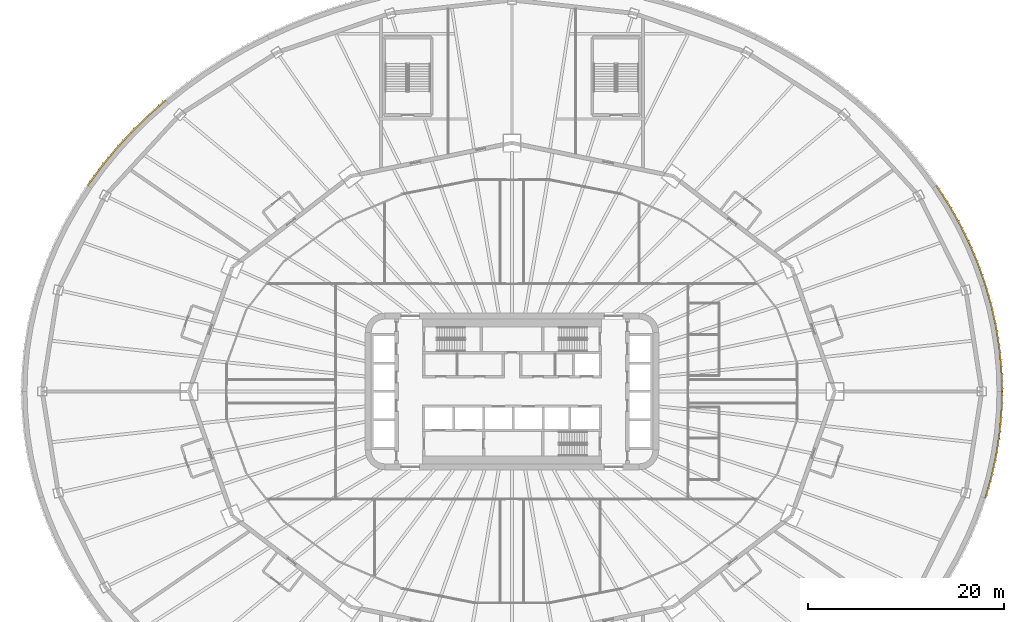
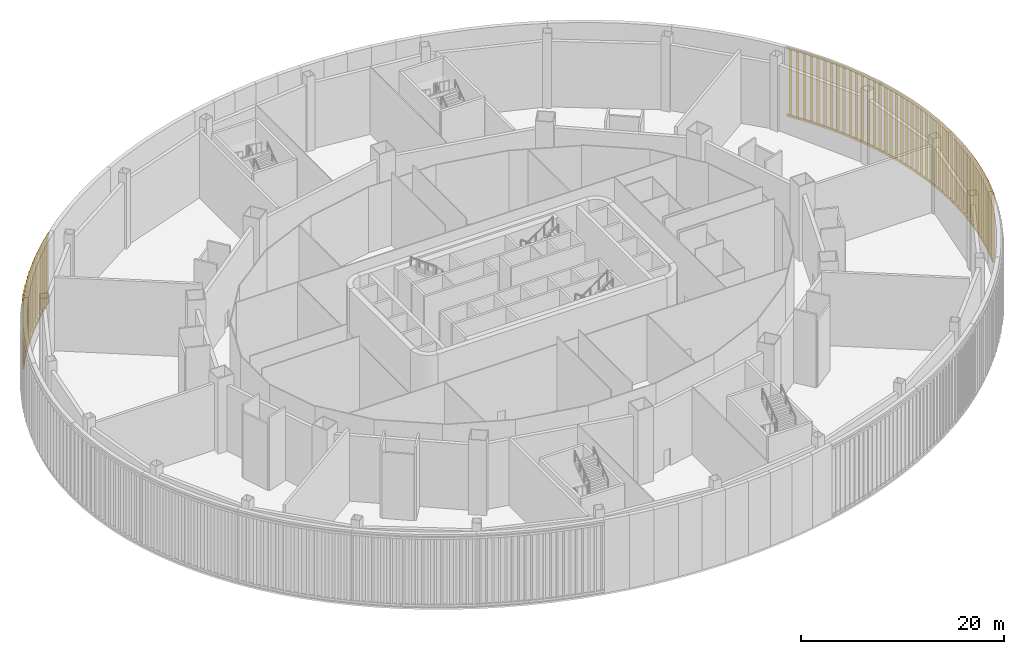
# One storey, part 32 of 35: 4 shading devices.
"""IFC4 building model written with IfcOpenShell, lengths in metres."""

from ifc_helpers import new_model, si_unit, direction, frame, origin, origin_2d, place, context, subcontext, project, spatial, rectangle, extrude, material, type_object, element, save


model = new_model("IFC4")

# Units and contexts
model_context = context("Model", 3, precision=1e-05, world=origin(), true_north=direction((0.0, 1.0)))
body_context = subcontext(model_context, "Body", "Model", "MODEL_VIEW")
ifc_project = project(units=[si_unit("LENGTHUNIT", "METRE"), si_unit("AREAUNIT", "SQUARE_METRE"), si_unit("VOLUMEUNIT", "CUBIC_METRE"), si_unit("PLANEANGLEUNIT", "RADIAN"), si_unit("MASSUNIT", "GRAM", prefix="KILO")], contexts=[model_context])

# Site, building, storey
site_placement = place(None, origin())
site = spatial("IfcSite", under=ifc_project, at=site_placement, CompositionType="ELEMENT")
building_placement = place(site_placement, origin())
building = spatial("IfcBuilding", under=site, at=building_placement, Name="Sahrelin Media Tower", CompositionType="ELEMENT")
storey_placement = place(building_placement, frame((0.0, 0.0, 8.0)))
storey = spatial("IfcBuildingStorey", under=building, at=storey_placement, Name="L01", CompositionType="ELEMENT", Elevation=8.0)

# Shading devices
ifc_material = material(Name="Champagne anodised aluminium 6063-T6", Category="aluminium")
shading_device_type = type_object("IfcShadingDeviceType", Name="Studio facade screen", PredefinedType="USERDEFINED", material=ifc_material)
shading_device_1_placement = place(storey_placement, frame((50.0, 0.0, 0.0), z_axis=(0.0, 0.0, 1.0), x_axis=(0.154807009046, -0.98794473021, 0.0)))
element("IfcShadingDevice", 1, at=shading_device_1_placement, inside=storey, type_object=shading_device_type, Name="L01:SCREEN:L01-P00", ObjectType="SCREEN", PredefinedType="USERDEFINED", context=body_context, shape_type="SweptSolid", body=[
    extrude(rectangle(XDim=0.14990234375, YDim=0.25, at=origin_2d()), frame((0.00927734375, 0.074462890625, 0.35009765625), z_axis=(-0.992281292284, 0.124007406968, 0.0), x_axis=(-0.124007406968, -0.992281292284, 0.0)), (0.0, 0.0, 1.0), 2.19921875),
    extrude(rectangle(XDim=0.14990234375, YDim=0.25, at=origin_2d()), frame((0.00927734375, 0.074462890625, 8.449951171875), z_axis=(-0.992281292284, 0.124007406968, 0.0), x_axis=(-0.124007406968, -0.992281292284, 0.0)), (0.0, 0.0, 1.0), 2.19921875),
    extrude(rectangle(XDim=0.300048828125, YDim=0.0400390625, at=origin_2d()), frame((-0.34521484375, 0.1943359375, 0.47509765625), z_axis=(0.0, 0.0, 1.0), x_axis=(0.707106781187, 0.707106781187, 0.0)), (0.0, 0.0, 1.0), 7.849853515625),
    extrude(rectangle(XDim=0.300048828125, YDim=0.0400390625, at=origin_2d()), frame((-1.072509765625, 0.28515625, 0.47509765625), z_axis=(0.0, 0.0, 1.0), x_axis=(0.707106781187, 0.707106781187, 0.0)), (0.0, 0.0, 1.0), 7.849853515625),
    extrude(rectangle(XDim=0.300048828125, YDim=0.0400390625, at=origin_2d()), frame((-1.7998046875, 0.376220703125, 0.47509765625), z_axis=(0.0, 0.0, 1.0), x_axis=(0.707106781187, 0.707106781187, 0.0)), (0.0, 0.0, 1.0), 7.849853515625),
    extrude(rectangle(XDim=0.14990234375, YDim=0.25, at=origin_2d()), frame((-2.177490234375, 0.347412109375, 0.35009765625), z_axis=(-0.998077094115, 0.061984790091, 0.0), x_axis=(-0.061984790091, -0.998077094115, 0.0)), (0.0, 0.0, 1.0), 2.20166015625),
    extrude(rectangle(XDim=0.14990234375, YDim=0.25, at=origin_2d()), frame((-2.177490234375, 0.347412109375, 8.449951171875), z_axis=(-0.998077094115, 0.061984790091, 0.0), x_axis=(-0.061984790091, -0.998077094115, 0.0)), (0.0, 0.0, 1.0), 2.20166015625),
    extrude(rectangle(XDim=0.300048828125, YDim=0.0400390625, at=origin_2d()), frame((-2.5390625, 0.445068359375, 0.47509765625), z_axis=(0.0, 0.0, 1.0), x_axis=(0.707106781187, 0.707106781187, 0.0)), (0.0, 0.0, 1.0), 7.849853515625),
    extrude(rectangle(XDim=0.300048828125, YDim=0.0400390625, at=origin_2d()), frame((-3.271484375, 0.490478515625, 0.47509765625), z_axis=(0.0, 0.0, 1.0), x_axis=(0.707106781187, 0.707106781187, 0.0)), (0.0, 0.0, 1.0), 7.849853515625),
    extrude(rectangle(XDim=0.300048828125, YDim=0.0400390625, at=origin_2d()), frame((-4.004150390625, 0.5361328125, 0.47509765625), z_axis=(0.0, 0.0, 1.0), x_axis=(0.707106781187, 0.707106781187, 0.0)), (0.0, 0.0, 1.0), 7.849853515625),
    extrude(rectangle(XDim=0.14990234375, YDim=0.25, at=origin_2d()), frame((-4.379638671875, 0.484130859375, 0.35009765625), z_axis=(-1.0, 0.0, 0.0), x_axis=(0.0, -1.0, 0.0)), (0.0, 0.0, 1.0), 2.20654296875),
    extrude(rectangle(XDim=0.14990234375, YDim=0.25, at=origin_2d()), frame((-4.379638671875, 0.484130859375, 8.449951171875), z_axis=(-1.0, 0.0, 0.0), x_axis=(0.0, -1.0, 0.0)), (0.0, 0.0, 1.0), 2.20654296875),
    extrude(rectangle(XDim=0.300048828125, YDim=0.0400390625, at=origin_2d()), frame((-4.747314453125, 0.55908203125, 0.47509765625), z_axis=(0.0, 0.0, 1.0), x_axis=(0.707106781187, 0.707106781187, 0.0)), (0.0, 0.0, 1.0), 7.849853515625),
    extrude(rectangle(XDim=0.300048828125, YDim=0.0400390625, at=origin_2d()), frame((-5.48291015625, 0.55908203125, 0.47509765625), z_axis=(0.0, 0.0, 1.0), x_axis=(0.707106781187, 0.707106781187, 0.0)), (0.0, 0.0, 1.0), 7.849853515625),
    extrude(rectangle(XDim=0.300048828125, YDim=0.0400390625, at=origin_2d()), frame((-6.218505859375, 0.55908203125, 0.47509765625), z_axis=(0.0, 0.0, 1.0), x_axis=(0.707106781187, 0.707106781187, 0.0)), (0.0, 0.0, 1.0), 7.849853515625),
    extrude(rectangle(XDim=0.14990234375, YDim=0.25, at=origin_2d()), frame((-6.5908203125, 0.48388671875, 0.35009765625), z_axis=(-0.998098639234, -0.061636891221, 0.0), x_axis=(0.061636891221, -0.998098639234, 0.0)), (0.0, 0.0, 1.0), 2.214111328125),
    extrude(rectangle(XDim=0.14990234375, YDim=0.25, at=origin_2d()), frame((-6.5908203125, 0.48388671875, 8.449951171875), z_axis=(-0.998098639234, -0.061636891221, 0.0), x_axis=(0.061636891221, -0.998098639234, 0.0)), (0.0, 0.0, 1.0), 2.214111328125),
    extrude(rectangle(XDim=0.300048828125, YDim=0.0400390625, at=origin_2d()), frame((-6.9638671875, 0.5361328125, 0.47509765625), z_axis=(0.0, 0.0, 1.0), x_axis=(0.707106781187, 0.707106781187, 0.0)), (0.0, 0.0, 1.0), 7.849853515625),
    extrude(rectangle(XDim=0.300048828125, YDim=0.0400390625, at=origin_2d()), frame((-7.700439453125, 0.490478515625, 0.47509765625), z_axis=(0.0, 0.0, 1.0), x_axis=(0.707106781187, 0.707106781187, 0.0)), (0.0, 0.0, 1.0), 7.849853515625),
    extrude(rectangle(XDim=0.300048828125, YDim=0.0400390625, at=origin_2d()), frame((-8.43701171875, 0.445068359375, 0.47509765625), z_axis=(0.0, 0.0, 1.0), x_axis=(0.707106781187, 0.707106781187, 0.0)), (0.0, 0.0, 1.0), 7.849853515625),
    extrude(rectangle(XDim=0.14990234375, YDim=0.25, at=origin_2d()), frame((-8.805419921875, 0.34716796875, 0.35009765625), z_axis=(-0.992450885786, -0.122642730327, 0.0), x_axis=(0.122642730327, -0.992450885786, 0.0)), (0.0, 0.0, 1.0), 2.2236328125),
    extrude(rectangle(XDim=0.14990234375, YDim=0.25, at=origin_2d()), frame((-8.805419921875, 0.34716796875, 8.449951171875), z_axis=(-0.992450885786, -0.122642730327, 0.0), x_axis=(0.122642730327, -0.992450885786, 0.0)), (0.0, 0.0, 1.0), 2.2236328125),
    extrude(rectangle(XDim=0.300048828125, YDim=0.0400390625, at=origin_2d()), frame((-9.182373046875, 0.376220703125, 0.47509765625), z_axis=(0.0, 0.0, 1.0), x_axis=(0.707106781187, 0.707106781187, 0.0)), (0.0, 0.0, 1.0), 7.849853515625),
    extrude(rectangle(XDim=0.300048828125, YDim=0.0400390625, at=origin_2d()), frame((-9.91796875, 0.28515625, 0.47509765625), z_axis=(0.0, 0.0, 1.0), x_axis=(0.707106781187, 0.707106781187, 0.0)), (0.0, 0.0, 1.0), 7.849853515625),
    extrude(rectangle(XDim=0.300048828125, YDim=0.0400390625, at=origin_2d()), frame((-10.65380859375, 0.1943359375, 0.47509765625), z_axis=(0.0, 0.0, 1.0), x_axis=(0.707106781187, 0.707106781187, 0.0)), (0.0, 0.0, 1.0), 7.849853515625),
])
shading_device_2_placement = place(storey_placement, frame((48.29638671875, 10.870361328125, 0.0), z_axis=(0.0, 0.0, 1.0), x_axis=(0.44228697484, -0.896873587462, 0.0)))
element("IfcShadingDevice", 2, at=shading_device_2_placement, inside=storey, type_object=shading_device_type, Name="L01:SCREEN:L01-P01", ObjectType="SCREEN", PredefinedType="USERDEFINED", context=body_context, shape_type="SweptSolid", body=[
    extrude(rectangle(XDim=0.14990234375, YDim=0.25, at=origin_2d()), frame((0.0087890625, 0.074462890625, 0.35009765625), z_axis=(-0.992914515953, 0.118830820961, 0.0), x_axis=(-0.118830820961, -0.992914515953, 0.0)), (0.0, 0.0, 1.0), 2.2353515625),
    extrude(rectangle(XDim=0.14990234375, YDim=0.25, at=origin_2d()), frame((0.0087890625, 0.074462890625, 8.449951171875), z_axis=(-0.992914515953, 0.118830820961, 0.0), x_axis=(-0.118830820961, -0.992914515953, 0.0)), (0.0, 0.0, 1.0), 2.2353515625),
    extrude(rectangle(XDim=0.300048828125, YDim=0.0400390625, at=origin_2d()), frame((-0.35205078125, 0.193115234375, 0.47509765625), z_axis=(0.0, 0.0, 1.0), x_axis=(0.707106781187, 0.707106781187, 0.0)), (0.0, 0.0, 1.0), 7.849853515625),
    extrude(rectangle(XDim=0.300048828125, YDim=0.0400390625, at=origin_2d()), frame((-1.092041015625, 0.28173828125, 0.47509765625), z_axis=(0.0, 0.0, 1.0), x_axis=(0.707106781187, 0.707106781187, 0.0)), (0.0, 0.0, 1.0), 7.849853515625),
    extrude(rectangle(XDim=0.300048828125, YDim=0.0400390625, at=origin_2d()), frame((-1.83203125, 0.370361328125, 0.47509765625), z_axis=(0.0, 0.0, 1.0), x_axis=(0.707106781187, 0.707106781187, 0.0)), (0.0, 0.0, 1.0), 7.849853515625),
    extrude(rectangle(XDim=0.14990234375, YDim=0.25, at=origin_2d()), frame((-2.21533203125, 0.340576171875, 0.35009765625), z_axis=(-0.998255232119, 0.059046520199, 0.0), x_axis=(-0.059046520199, -0.998255232119, 0.0)), (0.0, 0.0, 1.0), 2.249267578125),
    extrude(rectangle(XDim=0.14990234375, YDim=0.25, at=origin_2d()), frame((-2.21533203125, 0.340576171875, 8.449951171875), z_axis=(-0.998255232119, 0.059046520199, 0.0), x_axis=(-0.059046520199, -0.998255232119, 0.0)), (0.0, 0.0, 1.0), 2.249267578125),
    extrude(rectangle(XDim=0.300048828125, YDim=0.0400390625, at=origin_2d()), frame((-2.585205078125, 0.4375, 0.47509765625), z_axis=(0.0, 0.0, 1.0), x_axis=(0.707106781187, 0.707106781187, 0.0)), (0.0, 0.0, 1.0), 7.849853515625),
    extrude(rectangle(XDim=0.300048828125, YDim=0.0400390625, at=origin_2d()), frame((-3.33349609375, 0.481689453125, 0.47509765625), z_axis=(0.0, 0.0, 1.0), x_axis=(0.707106781187, 0.707106781187, 0.0)), (0.0, 0.0, 1.0), 7.849853515625),
    extrude(rectangle(XDim=0.300048828125, YDim=0.0400390625, at=origin_2d()), frame((-4.08203125, 0.526123046875, 0.47509765625), z_axis=(0.0, 0.0, 1.0), x_axis=(0.707106781187, 0.707106781187, 0.0)), (0.0, 0.0, 1.0), 7.849853515625),
    extrude(rectangle(XDim=0.14990234375, YDim=0.25, at=origin_2d()), frame((-4.465087890625, 0.4736328125, 0.35009765625), z_axis=(-1.0, 0.0, 0.0), x_axis=(0.0, -1.0, 0.0)), (0.0, 0.0, 1.0), 2.26513671875),
    extrude(rectangle(XDim=0.14990234375, YDim=0.25, at=origin_2d()), frame((-4.465087890625, 0.4736328125, 8.449951171875), z_axis=(-1.0, 0.0, 0.0), x_axis=(0.0, -1.0, 0.0)), (0.0, 0.0, 1.0), 2.26513671875),
    extrude(rectangle(XDim=0.300048828125, YDim=0.0400390625, at=origin_2d()), frame((-4.8427734375, 0.548583984375, 0.47509765625), z_axis=(0.0, 0.0, 1.0), x_axis=(0.707106781187, 0.707106781187, 0.0)), (0.0, 0.0, 1.0), 7.849853515625),
    extrude(rectangle(XDim=0.300048828125, YDim=0.0400390625, at=origin_2d()), frame((-5.59765625, 0.548583984375, 0.47509765625), z_axis=(0.0, 0.0, 1.0), x_axis=(0.707106781187, 0.707106781187, 0.0)), (0.0, 0.0, 1.0), 7.849853515625),
    extrude(rectangle(XDim=0.300048828125, YDim=0.0400390625, at=origin_2d()), frame((-6.352783203125, 0.548583984375, 0.47509765625), z_axis=(0.0, 0.0, 1.0), x_axis=(0.707106781187, 0.707106781187, 0.0)), (0.0, 0.0, 1.0), 7.849853515625),
    extrude(rectangle(XDim=0.14990234375, YDim=0.25, at=origin_2d()), frame((-6.734619140625, 0.473388671875, 0.35009765625), z_axis=(-0.998305220506, -0.058195246459, 0.0), x_axis=(0.058195246459, -0.998305220506, 0.0)), (0.0, 0.0, 1.0), 2.2822265625),
    extrude(rectangle(XDim=0.14990234375, YDim=0.25, at=origin_2d()), frame((-6.734619140625, 0.473388671875, 8.449951171875), z_axis=(-0.998305220506, -0.058195246459, 0.0), x_axis=(0.058195246459, -0.998305220506, 0.0)), (0.0, 0.0, 1.0), 2.2822265625),
    extrude(rectangle(XDim=0.300048828125, YDim=0.0400390625, at=origin_2d()), frame((-7.11865234375, 0.526123046875, 0.47509765625), z_axis=(0.0, 0.0, 1.0), x_axis=(0.707106781187, 0.707106781187, 0.0)), (0.0, 0.0, 1.0), 7.849853515625),
    extrude(rectangle(XDim=0.300048828125, YDim=0.0400390625, at=origin_2d()), frame((-7.878173828125, 0.481689453125, 0.47509765625), z_axis=(0.0, 0.0, 1.0), x_axis=(0.707106781187, 0.707106781187, 0.0)), (0.0, 0.0, 1.0), 7.849853515625),
    extrude(rectangle(XDim=0.300048828125, YDim=0.0400390625, at=origin_2d()), frame((-8.6376953125, 0.4375, 0.47509765625), z_axis=(0.0, 0.0, 1.0), x_axis=(0.707106781187, 0.707106781187, 0.0)), (0.0, 0.0, 1.0), 7.849853515625),
    extrude(rectangle(XDim=0.14990234375, YDim=0.25, at=origin_2d()), frame((-9.017333984375, 0.340087890625, 0.35009765625), z_axis=(-0.993314738525, -0.115437559871, 0.0), x_axis=(0.115437559871, -0.993314738525, 0.0)), (0.0, 0.0, 1.0), 2.301025390625),
    extrude(rectangle(XDim=0.14990234375, YDim=0.25, at=origin_2d()), frame((-9.017333984375, 0.340087890625, 8.449951171875), z_axis=(-0.993314738525, -0.115437559871, 0.0), x_axis=(0.115437559871, -0.993314738525, 0.0)), (0.0, 0.0, 1.0), 2.301025390625),
    extrude(rectangle(XDim=0.300048828125, YDim=0.0400390625, at=origin_2d()), frame((-9.406982421875, 0.370361328125, 0.47509765625), z_axis=(0.0, 0.0, 1.0), x_axis=(0.707106781187, 0.707106781187, 0.0)), (0.0, 0.0, 1.0), 7.849853515625),
    extrude(rectangle(XDim=0.300048828125, YDim=0.0400390625, at=origin_2d()), frame((-10.168701171875, 0.28173828125, 0.47509765625), z_axis=(0.0, 0.0, 1.0), x_axis=(0.707106781187, 0.707106781187, 0.0)), (0.0, 0.0, 1.0), 7.849853515625),
    extrude(rectangle(XDim=0.300048828125, YDim=0.0400390625, at=origin_2d()), frame((-10.9306640625, 0.193359375, 0.47509765625), z_axis=(0.0, 0.0, 1.0), x_axis=(0.707106781187, 0.707106781187, 0.0)), (0.0, 0.0, 1.0), 7.849853515625),
])
shading_device_3_placement = place(storey_placement, frame((-35.355224609375, 29.698486328125, 0.0), z_axis=(0.0, 0.0, 1.0), x_axis=(0.674432963717, 0.738336087058, 0.0)))
element("IfcShadingDevice", 3, at=shading_device_3_placement, inside=storey, type_object=shading_device_type, Name="L01:SCREEN:L01-P09", ObjectType="SCREEN", PredefinedType="USERDEFINED", context=body_context, shape_type="SweptSolid", body=[
    extrude(rectangle(XDim=0.14990234375, YDim=0.25, at=origin_2d()), frame((0.0078125, 0.07470703125, 0.35009765625), z_axis=(-0.994395950407, 0.105719883718, 0.0), x_axis=(-0.105719883718, -0.994395950407, 0.0)), (0.0, 0.0, 1.0), 2.40625),
    extrude(rectangle(XDim=0.14990234375, YDim=0.25, at=origin_2d()), frame((0.0078125, 0.07470703125, 8.449951171875), z_axis=(-0.994395950407, 0.105719883718, 0.0), x_axis=(-0.105719883718, -0.994395950407, 0.0)), (0.0, 0.0, 1.0), 2.40625),
    extrude(rectangle(XDim=0.300048828125, YDim=0.0400390625, at=origin_2d()), frame((-0.283203125, 0.180908203125, 0.47509765625), z_axis=(0.0, 0.0, 1.0), x_axis=(0.707106781187, 0.707106781187, 0.0)), (0.0, 0.0, 1.0), 7.849853515625),
    extrude(rectangle(XDim=0.300048828125, YDim=0.0400390625, at=origin_2d()), frame((-0.881591796875, 0.24462890625, 0.47509765625), z_axis=(0.0, 0.0, 1.0), x_axis=(0.707106781187, 0.707106781187, 0.0)), (0.0, 0.0, 1.0), 7.849853515625),
    extrude(rectangle(XDim=0.300048828125, YDim=0.0400390625, at=origin_2d()), frame((-1.479736328125, 0.308349609375, 0.47509765625), z_axis=(0.0, 0.0, 1.0), x_axis=(0.707106781187, 0.707106781187, 0.0)), (0.0, 0.0, 1.0), 7.849853515625),
    extrude(rectangle(XDim=0.300048828125, YDim=0.0400390625, at=origin_2d()), frame((-2.077880859375, 0.3720703125, 0.47509765625), z_axis=(0.0, 0.0, 1.0), x_axis=(0.707106781187, 0.707106781187, 0.0)), (0.0, 0.0, 1.0), 7.849853515625),
    extrude(rectangle(XDim=0.14990234375, YDim=0.25, at=origin_2d()), frame((-2.388916015625, 0.32958984375, 0.35009765625), z_axis=(-0.998570768026, 0.053445497889, 0.0), x_axis=(-0.053445497889, -0.998570768026, 0.0)), (0.0, 0.0, 1.0), 2.384521484375),
    extrude(rectangle(XDim=0.14990234375, YDim=0.25, at=origin_2d()), frame((-2.388916015625, 0.32958984375, 8.449951171875), z_axis=(-0.998570768026, 0.053445497889, 0.0), x_axis=(-0.053445497889, -0.998570768026, 0.0)), (0.0, 0.0, 1.0), 2.384521484375),
    extrude(rectangle(XDim=0.300048828125, YDim=0.0400390625, at=origin_2d()), frame((-2.78173828125, 0.42578125, 0.47509765625), z_axis=(0.0, 0.0, 1.0), x_axis=(0.707106781187, 0.707106781187, 0.0)), (0.0, 0.0, 1.0), 7.849853515625),
    extrude(rectangle(XDim=0.300048828125, YDim=0.0400390625, at=origin_2d()), frame((-3.575439453125, 0.46826171875, 0.47509765625), z_axis=(0.0, 0.0, 1.0), x_axis=(0.707106781187, 0.707106781187, 0.0)), (0.0, 0.0, 1.0), 7.849853515625),
    extrude(rectangle(XDim=0.300048828125, YDim=0.0400390625, at=origin_2d()), frame((-4.369140625, 0.5107421875, 0.47509765625), z_axis=(0.0, 0.0, 1.0), x_axis=(0.707106781187, 0.707106781187, 0.0)), (0.0, 0.0, 1.0), 7.849853515625),
    extrude(rectangle(XDim=0.14990234375, YDim=0.25, at=origin_2d()), frame((-4.77392578125, 0.457275390625, 0.35009765625), z_axis=(-0.999999994662, -0.000103327133, 0.0), x_axis=(0.000103327133, -0.999999994662, 0.0)), (0.0, 0.0, 1.0), 2.36279296875),
    extrude(rectangle(XDim=0.14990234375, YDim=0.25, at=origin_2d()), frame((-4.77392578125, 0.457275390625, 8.449951171875), z_axis=(-0.999999994662, -0.000103327133, 0.0), x_axis=(0.000103327133, -0.999999994662, 0.0)), (0.0, 0.0, 1.0), 2.36279296875),
    extrude(rectangle(XDim=0.300048828125, YDim=0.0400390625, at=origin_2d()), frame((-5.167724609375, 0.5322265625, 0.47509765625), z_axis=(0.0, 0.0, 1.0), x_axis=(0.707106781187, 0.707106781187, 0.0)), (0.0, 0.0, 1.0), 7.849853515625),
    extrude(rectangle(XDim=0.300048828125, YDim=0.0400390625, at=origin_2d()), frame((-5.955322265625, 0.531982421875, 0.47509765625), z_axis=(0.0, 0.0, 1.0), x_axis=(0.707106781187, 0.707106781187, 0.0)), (0.0, 0.0, 1.0), 7.849853515625),
    extrude(rectangle(XDim=0.300048828125, YDim=0.0400390625, at=origin_2d()), frame((-6.742919921875, 0.531982421875, 0.47509765625), z_axis=(0.0, 0.0, 1.0), x_axis=(0.707106781187, 0.707106781187, 0.0)), (0.0, 0.0, 1.0), 7.849853515625),
    extrude(rectangle(XDim=0.14990234375, YDim=0.25, at=origin_2d()), frame((-7.140869140625, 0.45703125, 0.35009765625), z_axis=(-0.998517563231, -0.054430468672, 0.0), x_axis=(0.054430468672, -0.998517563231, 0.0)), (0.0, 0.0, 1.0), 2.34130859375),
    extrude(rectangle(XDim=0.14990234375, YDim=0.25, at=origin_2d()), frame((-7.140869140625, 0.45703125, 8.449951171875), z_axis=(-0.998517563231, -0.054430468672, 0.0), x_axis=(0.054430468672, -0.998517563231, 0.0)), (0.0, 0.0, 1.0), 2.34130859375),
    extrude(rectangle(XDim=0.300048828125, YDim=0.0400390625, at=origin_2d()), frame((-7.53466796875, 0.510498046875, 0.47509765625), z_axis=(0.0, 0.0, 1.0), x_axis=(0.707106781187, 0.707106781187, 0.0)), (0.0, 0.0, 1.0), 7.849853515625),
    extrude(rectangle(XDim=0.300048828125, YDim=0.0400390625, at=origin_2d()), frame((-8.31396484375, 0.468017578125, 0.47509765625), z_axis=(0.0, 0.0, 1.0), x_axis=(0.707106781187, 0.707106781187, 0.0)), (0.0, 0.0, 1.0), 7.849853515625),
    extrude(rectangle(XDim=0.300048828125, YDim=0.0400390625, at=origin_2d()), frame((-9.09326171875, 0.425537109375, 0.47509765625), z_axis=(0.0, 0.0, 1.0), x_axis=(0.707106781187, 0.707106781187, 0.0)), (0.0, 0.0, 1.0), 7.849853515625),
    extrude(rectangle(XDim=0.14990234375, YDim=0.25, at=origin_2d()), frame((-9.48291015625, 0.3291015625, 0.35009765625), z_axis=(-0.993963012616, -0.109715675961, 0.0), x_axis=(0.109715675961, -0.993963012616, 0.0)), (0.0, 0.0, 1.0), 2.32080078125),
    extrude(rectangle(XDim=0.14990234375, YDim=0.25, at=origin_2d()), frame((-9.48291015625, 0.3291015625, 8.449951171875), z_axis=(-0.993963012616, -0.109715675961, 0.0), x_axis=(0.109715675961, -0.993963012616, 0.0)), (0.0, 0.0, 1.0), 2.32080078125),
    extrude(rectangle(XDim=0.300048828125, YDim=0.0400390625, at=origin_2d()), frame((-9.875732421875, 0.361083984375, 0.47509765625), z_axis=(0.0, 0.0, 1.0), x_axis=(0.707106781187, 0.707106781187, 0.0)), (0.0, 0.0, 1.0), 7.849853515625),
    extrude(rectangle(XDim=0.300048828125, YDim=0.0400390625, at=origin_2d()), frame((-10.64453125, 0.2763671875, 0.47509765625), z_axis=(0.0, 0.0, 1.0), x_axis=(0.707106781187, 0.707106781187, 0.0)), (0.0, 0.0, 1.0), 7.849853515625),
    extrude(rectangle(XDim=0.300048828125, YDim=0.0400390625, at=origin_2d()), frame((-11.41357421875, 0.19140625, 0.47509765625), z_axis=(0.0, 0.0, 1.0), x_axis=(0.707106781187, 0.707106781187, 0.0)), (0.0, 0.0, 1.0), 7.849853515625),
])
shading_device_4_placement = place(storey_placement, frame((48.29638671875, -10.870361328125, 0.0), z_axis=(0.0, 0.0, 1.0), x_axis=(-0.154807009046, -0.98794473021, 0.0)))
element("IfcShadingDevice", 4, at=shading_device_4_placement, inside=storey, type_object=shading_device_type, Name="L01:SCREEN:L01-P23", ObjectType="SCREEN", PredefinedType="USERDEFINED", context=body_context, shape_type="SweptSolid", body=[
    extrude(rectangle(XDim=0.14990234375, YDim=0.25, at=origin_2d()), frame((0.00927734375, 0.074462890625, 0.35009765625), z_axis=(-0.992452536992, 0.122629367679, 0.0), x_axis=(-0.122629367679, -0.992452536992, 0.0)), (0.0, 0.0, 1.0), 2.223876953125),
    extrude(rectangle(XDim=0.14990234375, YDim=0.25, at=origin_2d()), frame((0.00927734375, 0.074462890625, 8.449951171875), z_axis=(-0.992452536992, 0.122629367679, 0.0), x_axis=(-0.122629367679, -0.992452536992, 0.0)), (0.0, 0.0, 1.0), 2.223876953125),
    extrude(rectangle(XDim=0.300048828125, YDim=0.0400390625, at=origin_2d()), frame((-0.349365234375, 0.1943359375, 0.47509765625), z_axis=(0.0, 0.0, 1.0), x_axis=(0.707106781187, 0.707106781187, 0.0)), (0.0, 0.0, 1.0), 7.849853515625),
    extrude(rectangle(XDim=0.300048828125, YDim=0.0400390625, at=origin_2d()), frame((-1.085205078125, 0.28515625, 0.47509765625), z_axis=(0.0, 0.0, 1.0), x_axis=(0.707106781187, 0.707106781187, 0.0)), (0.0, 0.0, 1.0), 7.849853515625),
    extrude(rectangle(XDim=0.300048828125, YDim=0.0400390625, at=origin_2d()), frame((-1.82080078125, 0.376220703125, 0.47509765625), z_axis=(0.0, 0.0, 1.0), x_axis=(0.707106781187, 0.707106781187, 0.0)), (0.0, 0.0, 1.0), 7.849853515625),
    extrude(rectangle(XDim=0.14990234375, YDim=0.25, at=origin_2d()), frame((-2.202392578125, 0.347412109375, 0.35009765625), z_axis=(-0.998098220265, 0.061643675299, 0.0), x_axis=(-0.061643675299, -0.998098220265, 0.0)), (0.0, 0.0, 1.0), 2.2138671875),
    extrude(rectangle(XDim=0.14990234375, YDim=0.25, at=origin_2d()), frame((-2.202392578125, 0.347412109375, 8.449951171875), z_axis=(-0.998098220265, 0.061643675299, 0.0), x_axis=(-0.061643675299, -0.998098220265, 0.0)), (0.0, 0.0, 1.0), 2.2138671875),
    extrude(rectangle(XDim=0.300048828125, YDim=0.0400390625, at=origin_2d()), frame((-2.56591796875, 0.445068359375, 0.47509765625), z_axis=(0.0, 0.0, 1.0), x_axis=(0.707106781187, 0.707106781187, 0.0)), (0.0, 0.0, 1.0), 7.849853515625),
    extrude(rectangle(XDim=0.300048828125, YDim=0.0400390625, at=origin_2d()), frame((-3.302490234375, 0.490478515625, 0.47509765625), z_axis=(0.0, 0.0, 1.0), x_axis=(0.707106781187, 0.707106781187, 0.0)), (0.0, 0.0, 1.0), 7.849853515625),
    extrude(rectangle(XDim=0.300048828125, YDim=0.0400390625, at=origin_2d()), frame((-4.039306640625, 0.5361328125, 0.47509765625), z_axis=(0.0, 0.0, 1.0), x_axis=(0.707106781187, 0.707106781187, 0.0)), (0.0, 0.0, 1.0), 7.849853515625),
    extrude(rectangle(XDim=0.14990234375, YDim=0.25, at=origin_2d()), frame((-4.416748046875, 0.484130859375, 0.35009765625), z_axis=(-1.0, 0.0, 0.0), x_axis=(0.0, -1.0, 0.0)), (0.0, 0.0, 1.0), 2.20654296875),
    extrude(rectangle(XDim=0.14990234375, YDim=0.25, at=origin_2d()), frame((-4.416748046875, 0.484130859375, 8.449951171875), z_axis=(-1.0, 0.0, 0.0), x_axis=(0.0, -1.0, 0.0)), (0.0, 0.0, 1.0), 2.20654296875),
    extrude(rectangle(XDim=0.300048828125, YDim=0.0400390625, at=origin_2d()), frame((-4.78466796875, 0.55908203125, 0.47509765625), z_axis=(0.0, 0.0, 1.0), x_axis=(0.707106781187, 0.707106781187, 0.0)), (0.0, 0.0, 1.0), 7.849853515625),
    extrude(rectangle(XDim=0.300048828125, YDim=0.0400390625, at=origin_2d()), frame((-5.52001953125, 0.55908203125, 0.47509765625), z_axis=(0.0, 0.0, 1.0), x_axis=(0.707106781187, 0.707106781187, 0.0)), (0.0, 0.0, 1.0), 7.849853515625),
    extrude(rectangle(XDim=0.300048828125, YDim=0.0400390625, at=origin_2d()), frame((-6.255615234375, 0.55908203125, 0.47509765625), z_axis=(0.0, 0.0, 1.0), x_axis=(0.707106781187, 0.707106781187, 0.0)), (0.0, 0.0, 1.0), 7.849853515625),
    extrude(rectangle(XDim=0.14990234375, YDim=0.25, at=origin_2d()), frame((-6.628173828125, 0.48388671875, 0.35009765625), z_axis=(-0.998077094115, -0.061984790091, 0.0), x_axis=(0.061984790091, -0.998077094115, 0.0)), (0.0, 0.0, 1.0), 2.20166015625),
    extrude(rectangle(XDim=0.14990234375, YDim=0.25, at=origin_2d()), frame((-6.628173828125, 0.48388671875, 8.449951171875), z_axis=(-0.998077094115, -0.061984790091, 0.0), x_axis=(0.061984790091, -0.998077094115, 0.0)), (0.0, 0.0, 1.0), 2.20166015625),
    extrude(rectangle(XDim=0.300048828125, YDim=0.0400390625, at=origin_2d()), frame((-6.9990234375, 0.5361328125, 0.47509765625), z_axis=(0.0, 0.0, 1.0), x_axis=(0.707106781187, 0.707106781187, 0.0)), (0.0, 0.0, 1.0), 7.849853515625),
    extrude(rectangle(XDim=0.300048828125, YDim=0.0400390625, at=origin_2d()), frame((-7.7314453125, 0.490478515625, 0.47509765625), z_axis=(0.0, 0.0, 1.0), x_axis=(0.707106781187, 0.707106781187, 0.0)), (0.0, 0.0, 1.0), 7.849853515625),
    extrude(rectangle(XDim=0.300048828125, YDim=0.0400390625, at=origin_2d()), frame((-8.464111328125, 0.445068359375, 0.47509765625), z_axis=(0.0, 0.0, 1.0), x_axis=(0.707106781187, 0.707106781187, 0.0)), (0.0, 0.0, 1.0), 7.849853515625),
    extrude(rectangle(XDim=0.14990234375, YDim=0.25, at=origin_2d()), frame((-8.830078125, 0.34716796875, 0.35009765625), z_axis=(-0.992282999223, -0.123993747638, 0.0), x_axis=(0.123993747638, -0.992282999223, 0.0)), (0.0, 0.0, 1.0), 2.199462890625),
    extrude(rectangle(XDim=0.14990234375, YDim=0.25, at=origin_2d()), frame((-8.830078125, 0.34716796875, 8.449951171875), z_axis=(-0.992282999223, -0.123993747638, 0.0), x_axis=(0.123993747638, -0.992282999223, 0.0)), (0.0, 0.0, 1.0), 2.199462890625),
    extrude(rectangle(XDim=0.300048828125, YDim=0.0400390625, at=origin_2d()), frame((-9.203125, 0.376220703125, 0.47509765625), z_axis=(0.0, 0.0, 1.0), x_axis=(0.707106781187, 0.707106781187, 0.0)), (0.0, 0.0, 1.0), 7.849853515625),
    extrude(rectangle(XDim=0.300048828125, YDim=0.0400390625, at=origin_2d()), frame((-9.9306640625, 0.28515625, 0.47509765625), z_axis=(0.0, 0.0, 1.0), x_axis=(0.707106781187, 0.707106781187, 0.0)), (0.0, 0.0, 1.0), 7.849853515625),
    extrude(rectangle(XDim=0.300048828125, YDim=0.0400390625, at=origin_2d()), frame((-10.657958984375, 0.1943359375, 0.47509765625), z_axis=(0.0, 0.0, 1.0), x_axis=(0.707106781187, 0.707106781187, 0.0)), (0.0, 0.0, 1.0), 7.849853515625),
])

save(model, "model.ifc")
